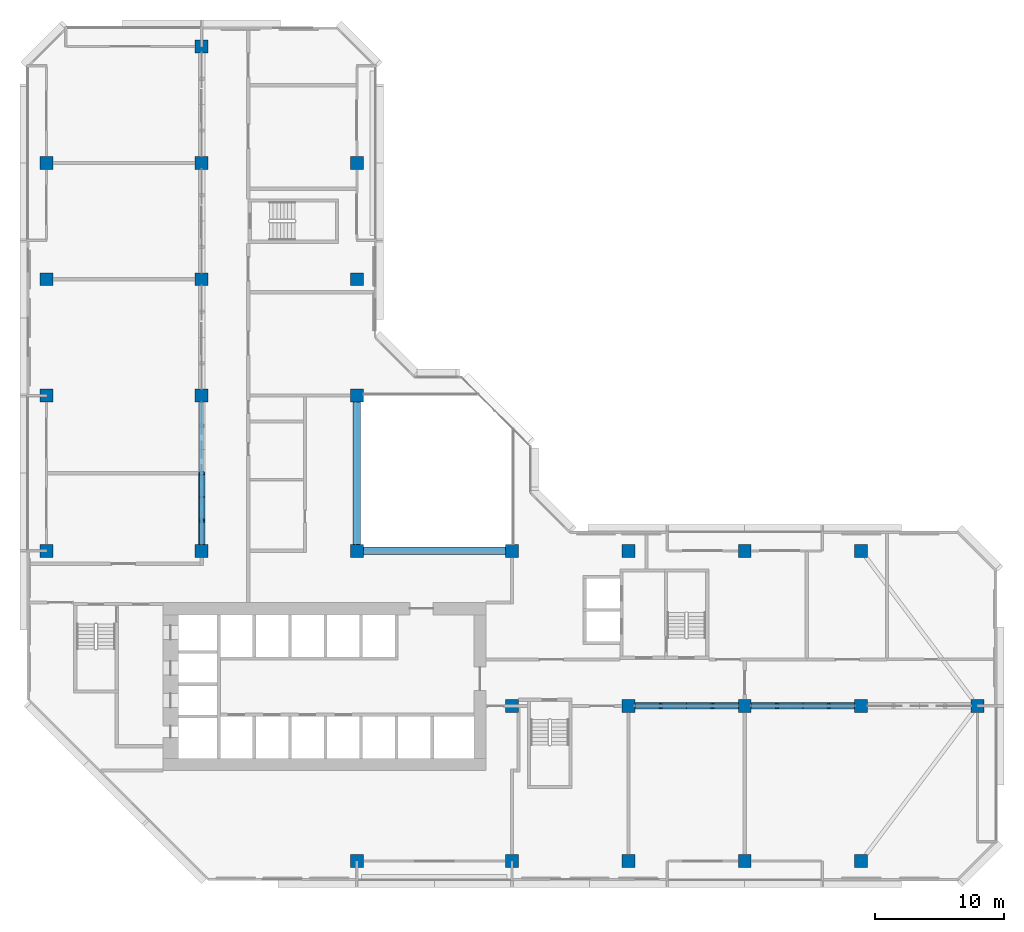
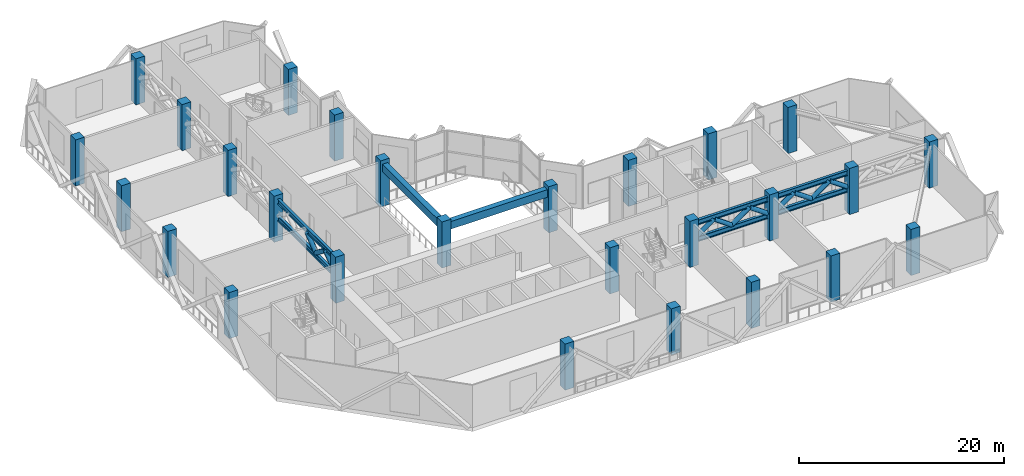
# One storey, part 1 of 15: 27 columns, 11 members, 8 beams.
"""IFC4 building model written with IfcOpenShell, lengths in metres."""

from ifc_helpers import new_model, si_unit, direction, frame, origin, origin_2d, place, context, subcontext, project, spatial, rectangle, hollow_circle, i_section, extrude, material, material_profile, profile_set, type_object, element, save


model = new_model("IFC4")

# Units and contexts
model_context = context("Model", 3, precision=1e-05, world=origin(), true_north=direction((0.0, 1.0)))
body_context = subcontext(model_context, "Body", "Model", "MODEL_VIEW")
ifc_project = project(units=[si_unit("LENGTHUNIT", "METRE"), si_unit("AREAUNIT", "SQUARE_METRE"), si_unit("VOLUMEUNIT", "CUBIC_METRE"), si_unit("PLANEANGLEUNIT", "RADIAN"), si_unit("MASSUNIT", "GRAM", prefix="KILO")], contexts=[model_context])

# Site, building, storey
site_placement = place(None, origin())
site = spatial("IfcSite", under=ifc_project, at=site_placement, CompositionType="ELEMENT")
building_placement = place(site_placement, origin())
building = spatial("IfcBuilding", under=site, at=building_placement, Name="Chenar Terraces", CompositionType="ELEMENT")
storey_placement = place(building_placement, frame((0.0, 0.0, 140.64990234375)))
storey = spatial("IfcBuildingStorey", under=building, at=storey_placement, Name="L33", CompositionType="ELEMENT", Elevation=140.64990234375)

# Columns
ifc_material_1 = material(Name="Concrete C70/85", Category="concrete")
ifc_material_profile_1 = material_profile(ifc_material_1, rectangle(XDim=1.0, YDim=1.0, at=origin_2d()), Name="C 1000 x 1000")
ifc_profile_set_1 = profile_set([ifc_material_profile_1], Name="Concrete C70/85")
column_type = type_object("IfcColumnType", Name="Column C 1000 x 1000 Concrete C70/85", PredefinedType="COLUMN", material=ifc_profile_set_1)
for number, where, z_axis, x_axis, name in (
    (1, (0.0, 24.0, 0.0), (0.0, 0.0, 1.0), (1.0, 0.0, 0.0), "Column 5/G L33"),
    (2, (0.0, 36.0, 0.0), (0.0, 0.0, 1.0), (1.0, 0.0, 0.0), "Column 5/H L33"),
):
    element("IfcColumn", number, at=place(storey_placement, frame(where, z_axis=z_axis, x_axis=x_axis)), inside=storey, type_object=column_type, Name=name, PredefinedType="COLUMN", context=body_context, shape_type="SweptSolid", body=[
        extrude(rectangle(XDim=1.0, YDim=1.0, at=origin_2d()), origin(), (0.0, 0.0, 1.0), 5.5),
    ])
column_placement = place(storey_placement, frame((0.0, 45.0, 0.0), z_axis=(0.0, 0.0, 1.0), x_axis=(1.0, 0.0, 0.0)))
element("IfcColumn", 3, at=column_placement, inside=storey, type_object=column_type, Name="Column 5/J L33", PredefinedType="COLUMN", context=body_context, shape_type="SweptSolid", body=[
    extrude(rectangle(XDim=1.0, YDim=1.0, at=origin_2d()), origin(), (0.0, 0.0, 1.0), 5.5),
])
for number, where, z_axis, x_axis, name in (
    (4, (0.0, 54.0, 0.0), (0.0, 0.0, 1.0), (1.0, 0.0, 0.0), "Column 5/K L33"),
    (5, (12.0, 24.0, 0.0), (0.0, 0.0, 1.0), (1.0, 0.0, 0.0), "Column 6/G L33"),
    (6, (12.0, 36.0, 0.0), (0.0, 0.0, 1.0), (1.0, 0.0, 0.0), "Column 6/H L33"),
    (7, (12.0, 45.0, 0.0), (0.0, 0.0, 1.0), (1.0, 0.0, 0.0), "Column 6/J L33"),
    (8, (12.0, 54.0, 0.0), (0.0, 0.0, 1.0), (1.0, 0.0, 0.0), "Column 6/K L33"),
    (9, (12.0, 63.0, 0.0), (0.0, 0.0, 1.0), (1.0, 0.0, 0.0), "Column 6/L L33"),
    (10, (24.0, 0.0, 0.0), (0.0, 0.0, 1.0), (1.0, 0.0, 0.0), "Column 7/E L33"),
    (11, (24.0, 24.0, 0.0), (0.0, 0.0, 1.0), (1.0, 0.0, 0.0), "Column 7/G L33"),
    (12, (24.0, 36.0, 0.0), (0.0, 0.0, 1.0), (1.0, 0.0, 0.0), "Column 7/H L33"),
    (13, (24.0, 45.0, 0.0), (0.0, 0.0, 1.0), (1.0, 0.0, 0.0), "Column 7/J L33"),
    (14, (24.0, 54.0, 0.0), (0.0, 0.0, 1.0), (1.0, 0.0, 0.0), "Column 7/K L33"),
    (15, (36.0, 0.0, 0.0), (0.0, 0.0, 1.0), (1.0, 0.0, 0.0), "Column 8/E L33"),
    (16, (36.0, 12.0, 0.0), (0.0, 0.0, 1.0), (1.0, 0.0, 0.0), "Column 8/F L33"),
    (17, (36.0, 24.0, 0.0), (0.0, 0.0, 1.0), (1.0, 0.0, 0.0), "Column 8/G L33"),
    (18, (45.0, 0.0, 0.0), (0.0, 0.0, 1.0), (1.0, 0.0, 0.0), "Column 9/E L33"),
    (19, (45.0, 12.0, 0.0), (0.0, 0.0, 1.0), (1.0, 0.0, 0.0), "Column 9/F L33"),
    (20, (45.0, 24.0, 0.0), (0.0, 0.0, 1.0), (1.0, 0.0, 0.0), "Column 9/G L33"),
    (21, (54.0, 0.0, 0.0), (0.0, 0.0, 1.0), (1.0, 0.0, 0.0), "Column 10/E L33"),
    (22, (54.0, 12.0, 0.0), (0.0, 0.0, 1.0), (1.0, 0.0, 0.0), "Column 10/F L33"),
    (23, (54.0, 24.0, 0.0), (0.0, 0.0, 1.0), (1.0, 0.0, 0.0), "Column 10/G L33"),
    (24, (63.0, 0.0, 0.0), (0.0, 0.0, 1.0), (1.0, 0.0, 0.0), "Column 11/E L33"),
    (25, (63.0, 12.0, 0.0), (0.0, 0.0, 1.0), (1.0, 0.0, 0.0), "Column 11/F L33"),
    (26, (63.0, 24.0, 0.0), (0.0, 0.0, 1.0), (1.0, 0.0, 0.0), "Column 11/G L33"),
    (27, (72.0, 12.0, 0.0), (0.0, 0.0, 1.0), (1.0, 0.0, 0.0), "Column 12/F L33"),
):
    element("IfcColumn", number, at=place(storey_placement, frame(where, z_axis=z_axis, x_axis=x_axis)), inside=storey, type_object=column_type, Name=name, PredefinedType="COLUMN", context=body_context, shape_type="SweptSolid", body=[
        extrude(rectangle(XDim=1.0, YDim=1.0, at=origin_2d()), origin(), (0.0, 0.0, 1.0), 5.5),
    ])

# Beams
ifc_material_2 = material(Name="Concrete C40/50", Category="concrete")
ifc_material_profile_2 = material_profile(ifc_material_2, rectangle(XDim=0.60009765625, YDim=0.89990234375, at=origin_2d()), Name="RC 600 x 900")
ifc_profile_set_2 = profile_set([ifc_material_profile_2], Name="Concrete C40/50")
beam_type_1 = type_object("IfcBeamType", Name="Atrium edge beam 600 x 900 Concrete C40/50", PredefinedType="BEAM", material=ifc_profile_set_2)
for number, where, z_axis, x_axis, name in (
    (28, (24.5, 24.0, 4.60009765625), (1.0, 0.0, 0.0), (0.0, 1.0, 0.0), "Atrium edge beam L34 1"),
    (29, (24.0, 35.5, 4.60009765625), (0.0, -1.0, 0.0), (1.0, 0.0, 0.0), "Atrium edge beam L34 4"),
):
    element("IfcBeam", number, at=place(storey_placement, frame(where, z_axis=z_axis, x_axis=x_axis)), inside=storey, type_object=beam_type_1, Name=name, PredefinedType="BEAM", context=body_context, shape_type="SweptSolid", body=[
        extrude(rectangle(XDim=0.60009765625, YDim=0.89990234375, at=origin_2d()), origin(), (0.0, 0.0, 1.0), 11.0),
    ])
ifc_material_3 = material(Name="Structural steel S355", Category="steel")
ifc_material_profile_3 = material_profile(ifc_material_3, i_section(OverallWidth=0.300048828125, OverallDepth=0.60009765625, WebThickness=0.015380859375, FlangeThickness=0.030029296875, FilletRadius=0.027099609375, at=origin_2d()), Name="HEB 600")
ifc_profile_set_3 = profile_set([ifc_material_profile_3], Name="Structural steel S355")
beam_type_2 = type_object("IfcBeamType", Name="Belt truss chord HEB 600 S355", PredefinedType="BEAM", material=ifc_profile_set_3)
for number, where, z_axis, x_axis, name in (
    (30, (45.5, 12.0, 4.75), (1.0, 0.0, 0.0), (0.0, 1.0, 0.0), "Belt truss L33 A1 top chord"),
    (31, (45.5, 12.0, 2.75), (1.0, 0.0, 0.0), (0.0, 1.0, 0.0), "Belt truss L33 A1 bottom chord"),
    (32, (54.5, 12.0, 4.75), (1.0, 0.0, 0.0), (0.0, 1.0, 0.0), "Belt truss L33 A2 top chord"),
    (33, (54.5, 12.0, 2.75), (1.0, 0.0, 0.0), (0.0, 1.0, 0.0), "Belt truss L33 A2 bottom chord"),
):
    element("IfcBeam", number, at=place(storey_placement, frame(where, z_axis=z_axis, x_axis=x_axis)), inside=storey, type_object=beam_type_2, Name=name, PredefinedType="BEAM", context=body_context, shape_type="SweptSolid", body=[
        extrude(i_section(OverallWidth=0.300048828125, OverallDepth=0.60009765625, WebThickness=0.015380859375, FlangeThickness=0.030029296875, FilletRadius=0.027099609375, at=origin_2d()), origin(), (0.0, 0.0, 1.0), 8.0),
    ])
for number, where, z_axis, x_axis, name in (
    (34, (12.0, 24.5, 4.75), (0.0, 1.0, 0.0), (-1.0, 0.0, 0.0), "Belt truss L33 B1 top chord"),
    (35, (12.0, 24.5, 2.75), (0.0, 1.0, 0.0), (-1.0, 0.0, 0.0), "Belt truss L33 B1 bottom chord"),
):
    element("IfcBeam", number, at=place(storey_placement, frame(where, z_axis=z_axis, x_axis=x_axis)), inside=storey, type_object=beam_type_2, Name=name, PredefinedType="BEAM", context=body_context, shape_type="SweptSolid", body=[
        extrude(i_section(OverallWidth=0.300048828125, OverallDepth=0.60009765625, WebThickness=0.015380859375, FlangeThickness=0.030029296875, FilletRadius=0.027099609375, at=origin_2d()), origin(), (0.0, 0.0, 1.0), 11.0),
    ])

# Members
ifc_material_4 = material(Name="Structural steel S355", Category="steel")
ifc_material_profile_4 = material_profile(ifc_material_4, hollow_circle(Radius=0.25390625, WallThickness=0.02001953125, at=origin_2d()), Name="CHS 508x20")
ifc_profile_set_4 = profile_set([ifc_material_profile_4], Name="Structural steel S355")
member_type = type_object("IfcMemberType", Name="Belt truss diagonal CHS 508x20 S355", PredefinedType="BRACE", material=ifc_profile_set_4)
for number, where, z_axis, x_axis, name in (
    (36, (45.5, 12.0, 3.050048828125), (0.819203731481, 0.0, 0.57350261231), (0.0, 1.0, 0.0), "Belt truss L33 A1 diagonal 1"),
    (37, (47.5, 12.0, 4.4501953125), (0.819203731481, 0.0, -0.57350261231), (0.0, 1.0, 0.0), "Belt truss L33 A1 diagonal 2"),
    (38, (49.5, 12.0, 3.050048828125), (0.819203731481, 0.0, 0.57350261231), (0.0, 1.0, 0.0), "Belt truss L33 A1 diagonal 3"),
    (39, (51.5, 12.0, 4.4501953125), (0.819203731481, 0.0, -0.57350261231), (0.0, 1.0, 0.0), "Belt truss L33 A1 diagonal 4"),
    (40, (54.5, 12.0, 3.050048828125), (0.819203731481, 0.0, 0.57350261231), (0.0, 1.0, 0.0), "Belt truss L33 A2 diagonal 1"),
    (41, (56.5, 12.0, 4.4501953125), (0.819203731481, 0.0, -0.57350261231), (0.0, 1.0, 0.0), "Belt truss L33 A2 diagonal 2"),
    (42, (58.5, 12.0, 3.050048828125), (0.819203731481, 0.0, 0.57350261231), (0.0, 1.0, 0.0), "Belt truss L33 A2 diagonal 3"),
    (43, (60.5, 12.0, 4.4501953125), (0.819203731481, 0.0, -0.57350261231), (0.0, 1.0, 0.0), "Belt truss L33 A2 diagonal 4"),
):
    element("IfcMember", number, at=place(storey_placement, frame(where, z_axis=z_axis, x_axis=x_axis)), inside=storey, type_object=member_type, Name=name, PredefinedType="BRACE", context=body_context, shape_type="SweptSolid", body=[
        extrude(hollow_circle(Radius=0.25390625, WallThickness=0.02001953125, at=origin_2d()), origin(), (0.0, 0.0, 1.0), 2.44140625),
    ])
for number, where, z_axis, x_axis, name in (
    (44, (12.0, 24.5, 3.050048828125), (0.0, 0.794724186753, 0.606970729928), (-1.0, 0.0, 0.0), "Belt truss L33 B1 diagonal 1"),
    (45, (12.0, 26.333251953125, 4.4501953125), (0.0, 0.794763173324, -0.606919680294), (-1.0, 0.0, 0.0), "Belt truss L33 B1 diagonal 2"),
    (46, (12.0, 28.166748046875, 3.050048828125), (0.0, 0.794724186753, 0.606970729928), (-1.0, 0.0, 0.0), "Belt truss L33 B1 diagonal 3"),
):
    element("IfcMember", number, at=place(storey_placement, frame(where, z_axis=z_axis, x_axis=x_axis)), inside=storey, type_object=member_type, Name=name, PredefinedType="BRACE", context=body_context, shape_type="SweptSolid", body=[
        extrude(hollow_circle(Radius=0.25390625, WallThickness=0.02001953125, at=origin_2d()), origin(), (0.0, 0.0, 1.0), 2.306884765625),
    ])

save(model, "model.ifc")
